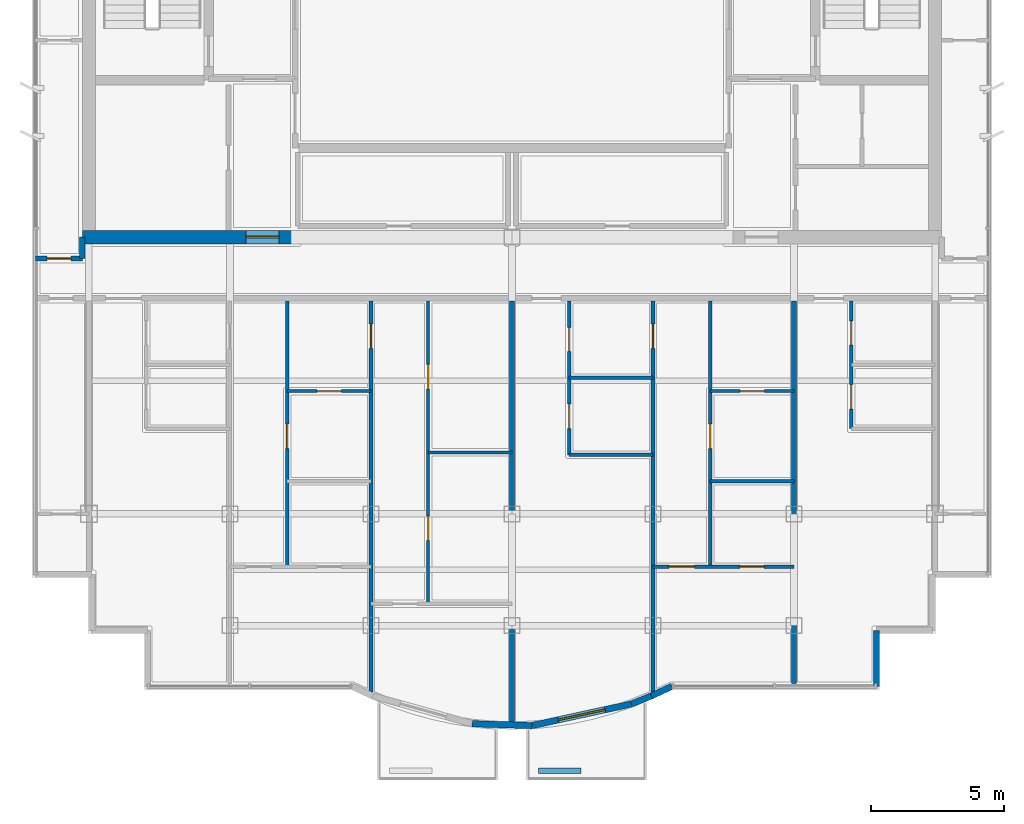
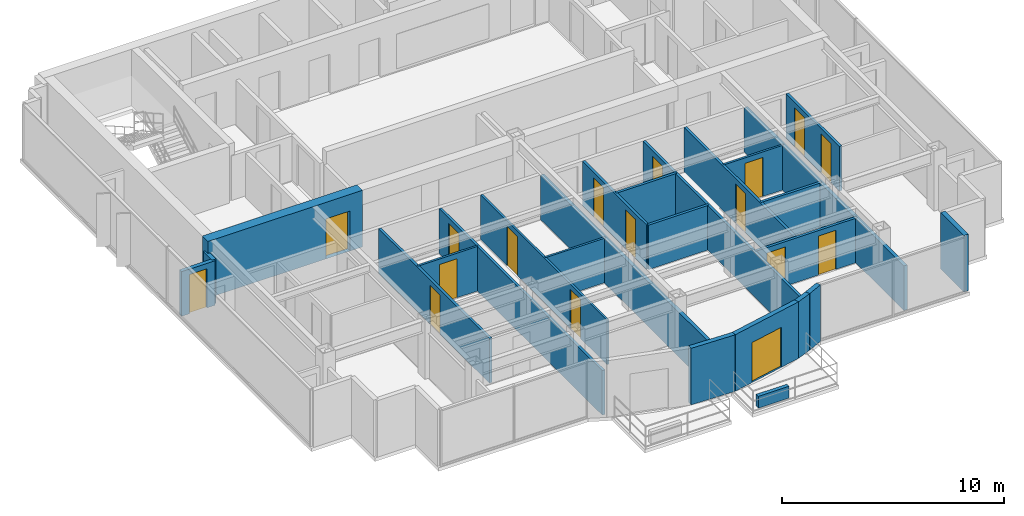
# One storey, part 6 of 11: 25 walls, 17 doors, 17 openings.
"""IFC4 building model written with IfcOpenShell, lengths in metres."""

import ifcopenshell
import ifcopenshell.guid

model = None  # the IFC model being written
_history = None  # IfcOwnerHistory: only IFC2X3 demands one
_inside = {}  # id of a spatial element -> (the spatial element, [elements in it])
_under = {}  # id of a project, library or spatial element -> (it, [spatial elements below it])
_declared = {}  # id of a project -> (the project, [libraries it declares])
_typed = {}  # id of a type object -> (the type object, [elements of that type])
_made_of = {}  # id of a material, layer set ... -> (it, [elements and type objects made of it])


def new_model(schema):
    """Start an empty IFC model of exactly this schema.

    Asked for "IFC4X3", IfcOpenShell would pick the latest addendum, in which some entities
    have other attributes; the version numbers below select the first issue.
    IFC2X3 requires an IfcOwnerHistory on every rooted entity: one is made here for all.
    """
    global model, _history
    if schema == "IFC4X3":
        model = ifcopenshell.file(schema_version=(4, 3, 0, 0))
    else:
        model = ifcopenshell.file(schema=schema)
    _inside.clear()
    _under.clear()
    _declared.clear()
    _typed.clear()
    _made_of.clear()
    _history = None
    if model.schema == "IFC2X3":
        org = make("IfcOrganization", Name="unknown")
        user = make(
            "IfcPersonAndOrganization",
            ThePerson=make("IfcPerson", FamilyName="unknown"),
            TheOrganization=org,
        )
        app = make(
            "IfcApplication",
            ApplicationDeveloper=org,
            Version="unknown",
            ApplicationFullName="unknown",
            ApplicationIdentifier="unknown",
        )
        _history = make(
            "IfcOwnerHistory",
            OwningUser=user,
            OwningApplication=app,
            ChangeAction="ADDED",
            CreationDate=0,
        )
    return model


def make(cls, **values):
    """One entity of the class cls with the attributes given. An attribute that is None is left unset."""
    return model.create_entity(
        cls, **{name: value for name, value in values.items() if value is not None}
    )


def rooted(cls, **values):
    """An entity with a GlobalId (a new one), such as an element, a storey or a relation."""
    return make(cls, GlobalId=ifcopenshell.guid.new(), OwnerHistory=_history, **values)


def si_unit(unit_type, name, prefix=None):
    """IfcSIUnit, for example si_unit("LENGTHUNIT", "METRE", prefix="MILLI")."""
    return make("IfcSIUnit", UnitType=unit_type, Prefix=prefix, Name=name)


def assignment(units):
    """IfcUnitAssignment: the units of a project."""
    return None if units is None else make("IfcUnitAssignment", Units=units)


def point(xyz):
    """IfcCartesianPoint."""
    return None if xyz is None else make("IfcCartesianPoint", Coordinates=xyz)


def direction(xyz):
    """IfcDirection."""
    return None if xyz is None else make("IfcDirection", DirectionRatios=xyz)


def frame(location, z_axis=None, x_axis=None):
    """IfcAxis2Placement3D, a coordinate frame: its origin and axes. An axis left out is left unset."""
    return make(
        "IfcAxis2Placement3D",
        Location=point(location),
        Axis=direction(z_axis),
        RefDirection=direction(x_axis),
    )


def frame_2d(location, x_axis=None):
    """IfcAxis2Placement2D, a coordinate frame in the plane: its origin and x axis."""
    return make(
        "IfcAxis2Placement2D", Location=point(location), RefDirection=direction(x_axis)
    )


def origin():
    """The frame at (0, 0, 0) with its axes left unset."""
    return frame((0.0, 0.0, 0.0))


def place(relative_to, where):
    """IfcLocalPlacement: puts the frame where relative to a parent placement (None: the world)."""
    return make(
        "IfcLocalPlacement", PlacementRelTo=relative_to, RelativePlacement=where
    )


def context(
    kind, dimensions, precision=None, world=None, true_north=None, identifier=None
):
    """IfcGeometricRepresentationContext, for example the 3D "Model" context."""
    return make(
        "IfcGeometricRepresentationContext",
        ContextIdentifier=identifier,
        ContextType=kind,
        CoordinateSpaceDimension=dimensions,
        Precision=precision,
        WorldCoordinateSystem=world,
        TrueNorth=true_north,
    )


def subcontext(parent, identifier, kind, view, scale=None):
    """IfcGeometricRepresentationSubContext, for example "Body" below "Model"."""
    return make(
        "IfcGeometricRepresentationSubContext",
        ContextIdentifier=identifier,
        ContextType=kind,
        ParentContext=parent,
        TargetScale=scale,
        TargetView=view,
    )


def project(units=None, contexts=None):
    """IfcProject with its units and contexts."""
    return rooted(
        "IfcProject",
        Name="project",
        RepresentationContexts=contexts,
        UnitsInContext=assignment(units),
    )


def spatial(cls, under=None, at=None, **own):
    """A site, building, storey or space (cls), placed at a placement, below another one or the project."""
    s = rooted(cls, ObjectPlacement=at, **own)
    if under is not None:
        _under.setdefault(under.id(), (under, []))[1].append(s)
    return s


def profile(cls, at=None, kind="AREA", **sizes):
    """A parametric profile (cls). Its sizes go by their IFC names, for example OverallWidth=200.0."""
    return make(cls, ProfileType=kind, Position=at, **sizes)


def rectangle(**sizes):
    """IfcRectangleProfileDef."""
    return profile("IfcRectangleProfileDef", **sizes)


def extrude(swept, where, along, depth):
    """IfcExtrudedAreaSolid: the profile swept, set in the frame where, extruded along a direction by depth."""
    return make(
        "IfcExtrudedAreaSolid",
        SweptArea=swept,
        Position=where,
        ExtrudedDirection=direction(along),
        Depth=depth,
    )


def shape(context_of_items, identifier, shape_type, items):
    """IfcShapeRepresentation: the items that make up one representation, for example the "Body"."""
    return make(
        "IfcShapeRepresentation",
        ContextOfItems=context_of_items,
        RepresentationIdentifier=identifier,
        RepresentationType=shape_type,
        Items=items,
    )


def material(Name=None, Category=None):
    """IfcMaterial."""
    return make("IfcMaterial", Name=Name, Category=Category)


def layer(
    of_material, thickness, ventilated=None, Name=None, Category=None, Priority=None
):
    """IfcMaterialLayer: one layer of a wall or slab, of a material (None: an air gap)."""
    return make(
        "IfcMaterialLayer",
        Material=of_material,
        LayerThickness=thickness,
        IsVentilated=ventilated,
        Name=Name,
        Category=Category,
        Priority=Priority,
    )


def layer_set(layers, Name=None):
    """IfcMaterialLayerSet."""
    return make("IfcMaterialLayerSet", MaterialLayers=layers, LayerSetName=Name)


def made_of(thing, what):
    """Note that an element or type object is made of a material, layer set ...; save() writes the relation."""
    if what is not None:
        _made_of.setdefault(what.id(), (what, []))[1].append(thing)
    return thing


def type_object(cls, material=None, **own):
    """A type object (cls), such as IfcWallType, which elements share."""
    return made_of(rooted(cls, **own), material)


def element(
    cls,
    number,
    at=None,
    inside=None,
    cuts=None,
    type_object=None,
    material=None,
    context=None,
    identifier="Body",
    shape_type=None,
    held_by="IfcProductDefinitionShape",
    body=None,
    shapes=None,
    **own,
):
    """One element of the class cls, such as IfcWall. Its Tag is "e" and its number.

    at: its placement. inside: the storey or other place that contains it. cuts: it is an
    opening in that element (IfcRelVoidsElement). A single representation is given by context,
    identifier, shape_type and body (its items); several are given by shapes. held_by: the class
    of the entity that holds the representations. save() writes the other relations.
    """
    e = rooted(cls, Tag="e%d" % number, ObjectPlacement=at, **own)
    if body is not None:
        shapes = [shape(context, identifier, shape_type, body)]
    if shapes is not None:
        e.Representation = make(held_by, Representations=shapes)
    if inside is not None:
        _inside.setdefault(inside.id(), (inside, []))[1].append(e)
    if cuts is not None:
        rooted(
            "IfcRelVoidsElement", RelatingBuildingElement=cuts, RelatedOpeningElement=e
        )
    if type_object is not None:
        _typed.setdefault(type_object.id(), (type_object, []))[1].append(e)
    return made_of(e, material)


def fill(opening, filler):
    """IfcRelFillsElement: the door or window that sits in an opening."""
    return rooted(
        "IfcRelFillsElement",
        RelatingOpeningElement=opening,
        RelatedBuildingElement=filler,
    )


def aggregate(whole, parts):
    """IfcRelAggregates: a whole, such as a stair, and the parts it consists of."""
    return rooted("IfcRelAggregates", RelatingObject=whole, RelatedObjects=parts)


def save(model, path):
    """Write the relations noted so far, then the file.

    IfcRelAggregates (storeys below a building ...), IfcRelContainedInSpatialStructure (elements
    in a storey), IfcRelDefinesByType, IfcRelAssociatesMaterial and IfcRelDeclares: one each for
    every whole, place, type object, material and project.
    """
    for whole, parts in _under.values():
        aggregate(whole, parts)
    for where, things in _inside.values():
        rooted(
            "IfcRelContainedInSpatialStructure",
            RelatedElements=things,
            RelatingStructure=where,
        )
    for kind, things in _typed.values():
        rooted("IfcRelDefinesByType", RelatedObjects=things, RelatingType=kind)
    for what, things in _made_of.values():
        rooted("IfcRelAssociatesMaterial", RelatedObjects=things, RelatingMaterial=what)
    for by, libraries in _declared.values():
        rooted("IfcRelDeclares", RelatingContext=by, RelatedDefinitions=libraries)
    model.write(path)


model = new_model("IFC4")

# Units and contexts
model_context = context("Model", 3, precision=1e-05, world=origin(), true_north=direction((0.0, 1.0)))
body_context = subcontext(model_context, "Body", "Model", "MODEL_VIEW")
ifc_project = project(units=[si_unit("LENGTHUNIT", "METRE"), si_unit("AREAUNIT", "SQUARE_METRE"), si_unit("VOLUMEUNIT", "CUBIC_METRE"), si_unit("PLANEANGLEUNIT", "RADIAN"), si_unit("MASSUNIT", "GRAM", prefix="KILO")], contexts=[model_context])

# Site, building, storey
site_placement = place(None, origin())
site = spatial("IfcSite", under=ifc_project, at=site_placement, CompositionType="ELEMENT")
building_placement = place(site_placement, origin())
building = spatial("IfcBuilding", under=site, at=building_placement, Name="Qianlan Lanfeng Residences", CompositionType="ELEMENT")
storey_placement = place(building_placement, frame((0.0, 0.0, 259.39990234375)))
storey = spatial("IfcBuildingStorey", under=building, at=storey_placement, Name="L72", CompositionType="ELEMENT", Elevation=259.39990234375)

# Wall, opening, door
ifc_material_1 = material(Name="Concrete C70", Category="concrete")
ifc_layer_1 = layer(ifc_material_1, 0.5)
ifc_layer_set_1 = layer_set([ifc_layer_1], Name="Concrete C70")
wall_type_1 = type_object("IfcWallType", Name="CW-RC-500", PredefinedType="SHEAR", material=ifc_layer_set_1)
wall_1_placement = place(storey_placement, frame((10.35009765625, 25.199951171875, 0.0), z_axis=(0.0, 0.0, 1.0), x_axis=(1.0, 0.0, 0.0)))
wall_1 = element("IfcWall", 1, at=wall_1_placement, inside=storey, type_object=wall_type_1, Name="L72 Core Shear Wall SW", PredefinedType="SHEAR", context=body_context, shape_type="SweptSolid", body=[
    extrude(rectangle(XDim=8.0498046875, YDim=0.5, at=frame_2d((4.02490234375, 0.0))), origin(), (0.0, 0.0, 1.0), 3.110107421875),
])
opening_1_placement = place(wall_1_placement, frame((6.14990234375, 0.0, 0.0)))
opening_1 = element("IfcOpeningElement", 2, at=opening_1_placement, cuts=wall_1, Name="Opening L72-D01", PredefinedType="OPENING", context=body_context, shape_type="SweptSolid", body=[
    extrude(rectangle(XDim=1.25, YDim=2.199951171875, at=frame_2d((0.625, 1.10009765625))), frame((0.0, 0.260009765625, 0.0), z_axis=(0.0, -1.0, 0.0), x_axis=(1.0, 0.0, 0.0)), (0.0, 0.0, 1.0), 0.52001953125),
])
ifc_material_2 = material(Name="Painted Galvanised Steel Fire Door", Category="steel")
door_type_1 = type_object("IfcDoorType", Name="DT-FFL", OperationType="NOTDEFINED", PredefinedType="DOOR", material=ifc_material_2)
door_1_placement = place(opening_1_placement, origin())
door_1 = element("IfcDoor", 3, at=door_1_placement, inside=storey, type_object=door_type_1, Name="L72 West Core Lobby Smoke Door L72-D01 (DT-FFL)", OperationType="SINGLE_SWING_RIGHT", OverallHeight=2.199951171875, OverallWidth=1.25, PredefinedType="DOOR", context=body_context, shape_type="SweptSolid", body=[
    extrude(rectangle(XDim=1.25, YDim=2.199951171875, at=frame_2d((0.625, 1.10009765625))), frame((0.0, 0.02490234375, 0.0), z_axis=(0.0, -1.0, 0.0), x_axis=(1.0, 0.0, 0.0)), (0.0, 0.0, 1.0), 0.050048828125),
])
fill(opening_1, door_1)

# Wall
ifc_material_3 = material(Name="Concrete C42", Category="concrete")
ifc_layer_2 = layer(ifc_material_3, 0.239990234375)
ifc_layer_set_2 = layer_set([ifc_layer_2], Name="Concrete C42")
wall_type_2 = type_object("IfcWallType", Name="EW-240", PredefinedType="SOLIDWALL", material=ifc_layer_set_2)
wall_2_placement = place(storey_placement, frame((25.0048828125, 6.9130859375, 0.0), z_axis=(0.0, 0.0, 1.0), x_axis=(0.99951250052, -0.031221167572, 0.0)))
element("IfcWall", 4, at=wall_2_placement, inside=storey, type_object=wall_type_2, Name="L72 Exterior Facade Spandrel Wall 7", PredefinedType="SOLIDWALL", context=body_context, shape_type="SweptSolid", body=[
    extrude(rectangle(XDim=2.244140625, YDim=0.239990234375, at=frame_2d((1.1220703125, 0.0))), origin(), (0.0, 0.0, 1.0), 3.110107421875),
])

# Wall, opening, door
wall_3_placement = place(storey_placement, frame((27.248046875, 6.843017578125, 0.0), z_axis=(0.0, 0.0, 1.0), x_axis=(0.977126252677, 0.212660025225, 0.0)))
wall_3 = element("IfcWall", 5, at=wall_3_placement, inside=storey, type_object=wall_type_2, Name="L72 Terrace/Balcony Access Exterior Wall 8", PredefinedType="SOLIDWALL", context=body_context, shape_type="SweptSolid", body=[
    extrude(rectangle(XDim=3.82763671875, YDim=0.239990234375, at=frame_2d((1.913818359375, 0.0))), origin(), (0.0, 0.0, 1.0), 3.110107421875),
])
opening_2_placement = place(wall_3_placement, frame((1.013916015625, 0.0, 0.0)))
opening_2 = element("IfcOpeningElement", 6, at=opening_2_placement, cuts=wall_3, Name="Opening L72-D-SB-E", PredefinedType="OPENING", context=body_context, shape_type="SweptSolid", body=[
    extrude(rectangle(XDim=1.800048828125, YDim=2.199951171875, at=frame_2d((0.89990234375, 1.10009765625))), frame((0.0, 0.1298828125, 0.0), z_axis=(0.0, -1.0, 0.0), x_axis=(1.0, 0.0, 0.0)), (0.0, 0.0, 1.0), 0.260009765625),
])
ifc_material_4 = material(Name="Anodised Bronze Aluminium Framed Glass", Category="aluminium")
door_type_2 = type_object("IfcDoorType", Name="DT-BAL1", OperationType="NOTDEFINED", PredefinedType="DOOR", material=ifc_material_4)
door_2_placement = place(opening_2_placement, frame((1.800048828125, 0.0, 0.0), z_axis=(0.0, 0.0, 1.0), x_axis=(-1.0, 0.0, 0.0)))
door_2 = element("IfcDoor", 7, at=door_2_placement, inside=storey, type_object=door_type_2, Name="L72 Exterior Access Door SB-E", OperationType="DOUBLE_DOOR_SLIDING", OverallHeight=2.199951171875, OverallWidth=1.800048828125, PredefinedType="DOOR", context=body_context, shape_type="SweptSolid", body=[
    extrude(rectangle(XDim=1.800048828125, YDim=2.199951171875, at=frame_2d((0.89990234375, 1.10009765625))), frame((0.0, 0.02490234375, 0.0), z_axis=(0.0, -1.0, 0.0), x_axis=(1.0, 0.0, 0.0)), (0.0, 0.0, 1.0), 0.050048828125),
])
fill(opening_2, door_2)

# Walls
wall_4_placement = place(storey_placement, frame((30.988037109375, 7.656982421875, 0.0), z_axis=(0.0, 0.0, 1.0), x_axis=(0.927870589467, 0.372902358805, 0.0)))
element("IfcWall", 8, at=wall_4_placement, inside=storey, type_object=wall_type_2, Name="L72 Exterior Facade Spandrel Wall 9", PredefinedType="SOLIDWALL", context=body_context, shape_type="SweptSolid", body=[
    extrude(rectangle(XDim=0.80712890625, YDim=0.239990234375, at=frame_2d((0.403564453125, 0.0))), origin(), (0.0, 0.0, 1.0), 3.110107421875),
])
wall_5_placement = place(storey_placement, frame((31.737060546875, 7.9580078125, 0.0), z_axis=(0.0, 0.0, 1.0), x_axis=(0.906190424584, 0.422869855147, 0.0)))
element("IfcWall", 9, at=wall_5_placement, inside=storey, type_object=wall_type_2, Name="L72 Exterior Facade Spandrel Wall 10", PredefinedType="SOLIDWALL", context=body_context, shape_type="SweptSolid", body=[
    extrude(rectangle(XDim=0.856201171875, YDim=0.239990234375, at=frame_2d((0.42822265625, 0.0))), origin(), (0.0, 0.0, 1.0), 3.110107421875),
])
wall_6_placement = place(storey_placement, frame((40.199951171875, 8.320068359375, 0.0), z_axis=(0.0, 0.0, 1.0), x_axis=(0.0, 1.0, 0.0)))
element("IfcWall", 10, at=wall_6_placement, inside=storey, type_object=wall_type_2, Name="L72 Exterior Facade Spandrel Wall 11", PredefinedType="SOLIDWALL", context=body_context, shape_type="SweptSolid", body=[
    extrude(rectangle(XDim=2.099853515625, YDim=0.239990234375, at=frame_2d((1.0498046875, 0.0))), origin(), (0.0, 0.0, 1.0), 3.110107421875),
])
ifc_layer_3 = layer(ifc_material_3, 0.199951171875)
ifc_layer_set_3 = layer_set([ifc_layer_3], Name="Concrete C42")
wall_type_3 = type_object("IfcWallType", Name="PL-TREE-200", PredefinedType="PARAPET", material=ifc_layer_set_3)
wall_7_placement = place(storey_placement, frame((27.5, 5.14990234375, 0.0), z_axis=(0.0, 0.0, 1.0), x_axis=(1.0, 0.0, 0.0)))
element("IfcWall", 11, at=wall_7_placement, inside=storey, type_object=wall_type_3, Name="L72 Balcony Tree Planter Curb SB-E", PredefinedType="PARAPET", context=body_context, shape_type="SweptSolid", body=[
    extrude(rectangle(XDim=1.60009765625, YDim=0.199951171875, at=frame_2d((0.800048828125, 0.0))), origin(), (0.0, 0.0, 1.0), 0.650146484375),
])

# Wall, opening, door
ifc_material_5 = material(Name="Demountable Acoustic Framing Partition 110 mm")
ifc_layer_4 = layer(ifc_material_5, 0.110107421875)
ifc_layer_set_4 = layer_set([ifc_layer_4], Name="Demountable Acoustic Framing Partition 110 mm")
wall_type_4 = type_object("IfcWallType", Name="PW-110", PredefinedType="MOVABLE", material=ifc_layer_set_4)
wall_8_placement = place(storey_placement, frame((18.050048828125, 19.409912109375, 0.0), z_axis=(0.0, 0.0, 1.0), x_axis=(1.0, 0.0, 0.0)))
wall_8 = element("IfcWall", 12, at=wall_8_placement, inside=storey, type_object=wall_type_4, Name="L72 U01 Wardrobe Split", PredefinedType="MOVABLE", context=body_context, shape_type="SweptSolid", body=[
    extrude(rectangle(XDim=3.14990234375, YDim=0.110107421875, at=frame_2d((1.574951171875, 0.0))), origin(), (0.0, 0.0, 1.0), 2.4501953125),
])
opening_3_placement = place(wall_8_placement, frame((1.114990234375, 0.0, 0.0)))
opening_3 = element("IfcOpeningElement", 13, at=opening_3_placement, cuts=wall_8, Name="Opening L72-D25", PredefinedType="OPENING", context=body_context, shape_type="SweptSolid", body=[
    extrude(rectangle(XDim=0.919921875, YDim=2.14990234375, at=frame_2d((0.4599609375, 1.074951171875))), frame((0.0, 0.06494140625, 0.0), z_axis=(0.0, -1.0, 0.0), x_axis=(1.0, 0.0, 0.0)), (0.0, 0.0, 1.0), 0.130126953125),
])
ifc_material_6 = material(Name="Glazed Timber Kitchen/Study Door", Category="wood")
door_type_3 = type_object("IfcDoorType", Name="DT-INT", OperationType="NOTDEFINED", PredefinedType="DOOR", material=ifc_material_6)
door_3_placement = place(opening_3_placement, origin())
door_3 = element("IfcDoor", 14, at=door_3_placement, inside=storey, type_object=door_type_3, Name="L72 U01 Dressing Inner Door L72-D25 (DT-INT)", OperationType="SINGLE_SWING_RIGHT", OverallHeight=2.14990234375, OverallWidth=0.919921875, PredefinedType="DOOR", context=body_context, shape_type="SweptSolid", body=[
    extrude(rectangle(XDim=0.919921875, YDim=2.14990234375, at=frame_2d((0.4599609375, 1.074951171875))), frame((0.0, 0.02490234375, 0.0), z_axis=(0.0, -1.0, 0.0), x_axis=(1.0, 0.0, 0.0)), (0.0, 0.0, 1.0), 0.050048828125),
])
fill(opening_3, door_3)

# Wall, openings, doors
wall_9_placement = place(storey_placement, frame((23.35009765625, 11.419921875, 0.0), z_axis=(0.0, 0.0, 1.0), x_axis=(0.0, 1.0, 0.0)))
wall_9 = element("IfcWall", 15, at=wall_9_placement, inside=storey, type_object=wall_type_4, Name="L72 U01 Bedroom 2 Hall Wall", PredefinedType="MOVABLE", context=body_context, shape_type="SweptSolid", body=[
    extrude(rectangle(XDim=11.380126953125, YDim=0.110107421875, at=frame_2d((5.68994140625, 0.0))), origin(), (0.0, 0.0, 1.0), 2.4501953125),
])
opening_4_placement = place(wall_9_placement, frame((2.385009765625, 0.0, 0.0)))
opening_4 = element("IfcOpeningElement", 16, at=opening_4_placement, cuts=wall_9, Name="Opening L72-D27", PredefinedType="OPENING", context=body_context, shape_type="SweptSolid", body=[
    extrude(rectangle(XDim=0.919921875, YDim=2.14990234375, at=frame_2d((0.4599609375, 1.074951171875))), frame((0.0, 0.06494140625, 0.0), z_axis=(0.0, -1.0, 0.0), x_axis=(1.0, 0.0, 0.0)), (0.0, 0.0, 1.0), 0.130126953125),
])
opening_5_placement = place(wall_9_placement, frame((8.074951171875, 0.0, 0.0)))
opening_5 = element("IfcOpeningElement", 17, at=opening_5_placement, cuts=wall_9, Name="Opening L72-D28", PredefinedType="OPENING", context=body_context, shape_type="SweptSolid", body=[
    extrude(rectangle(XDim=0.919921875, YDim=2.14990234375, at=frame_2d((0.4599609375, 1.074951171875))), frame((0.0, 0.06494140625, 0.0), z_axis=(0.0, -1.0, 0.0), x_axis=(1.0, 0.0, 0.0)), (0.0, 0.0, 1.0), 0.130126953125),
])
door_4_placement = place(opening_4_placement, origin())
door_4 = element("IfcDoor", 18, at=door_4_placement, inside=storey, type_object=door_type_3, Name="L72 U01 Utility Door L72-D27 (DT-INT)", OperationType="SINGLE_SWING_RIGHT", OverallHeight=2.14990234375, OverallWidth=0.919921875, PredefinedType="DOOR", context=body_context, shape_type="SweptSolid", body=[
    extrude(rectangle(XDim=0.919921875, YDim=2.14990234375, at=frame_2d((0.4599609375, 1.074951171875))), frame((0.0, 0.02490234375, 0.0), z_axis=(0.0, -1.0, 0.0), x_axis=(1.0, 0.0, 0.0)), (0.0, 0.0, 1.0), 0.050048828125),
])
fill(opening_4, door_4)
door_5_placement = place(opening_5_placement, origin())
door_5 = element("IfcDoor", 19, at=door_5_placement, inside=storey, type_object=door_type_3, Name="L72 U01 Specialty Door L72-D28 (DT-INT)", OperationType="SINGLE_SWING_LEFT", OverallHeight=2.14990234375, OverallWidth=0.919921875, PredefinedType="DOOR", context=body_context, shape_type="SweptSolid", body=[
    extrude(rectangle(XDim=0.919921875, YDim=2.14990234375, at=frame_2d((0.4599609375, 1.074951171875))), frame((0.0, 0.02490234375, 0.0), z_axis=(0.0, -1.0, 0.0), x_axis=(1.0, 0.0, 0.0)), (0.0, 0.0, 1.0), 0.050048828125),
])
fill(opening_5, door_5)

# Wall
wall_10_placement = place(storey_placement, frame((23.35009765625, 17.110107421875, 0.0), z_axis=(0.0, 0.0, 1.0), x_axis=(1.0, 0.0, 0.0)))
element("IfcWall", 20, at=wall_10_placement, inside=storey, type_object=wall_type_4, Name="L72 U01 Specialty Split Wall", PredefinedType="MOVABLE", context=body_context, shape_type="SweptSolid", body=[
    extrude(rectangle(XDim=3.14990234375, YDim=0.110107421875, at=frame_2d((1.574951171875, 0.0))), origin(), (0.0, 0.0, 1.0), 2.4501953125),
])

# Wall, opening, door
wall_11_placement = place(storey_placement, frame((33.949951171875, 19.409912109375, 0.0), z_axis=(0.0, 0.0, 1.0), x_axis=(1.0, 0.0, 0.0)))
wall_11 = element("IfcWall", 21, at=wall_11_placement, inside=storey, type_object=wall_type_4, Name="L72 U02 Wardrobe Split", PredefinedType="MOVABLE", context=body_context, shape_type="SweptSolid", body=[
    extrude(rectangle(XDim=3.150146484375, YDim=0.110107421875, at=frame_2d((1.5751953125, 0.0))), origin(), (0.0, 0.0, 1.0), 2.4501953125),
])
opening_6_placement = place(wall_11_placement, frame((1.114990234375, 0.0, 0.0)))
opening_6 = element("IfcOpeningElement", 22, at=opening_6_placement, cuts=wall_11, Name="Opening L72-D36", PredefinedType="OPENING", context=body_context, shape_type="SweptSolid", body=[
    extrude(rectangle(XDim=0.919921875, YDim=2.14990234375, at=frame_2d((0.4599609375, 1.074951171875))), frame((0.0, 0.06494140625, 0.0), z_axis=(0.0, -1.0, 0.0), x_axis=(1.0, 0.0, 0.0)), (0.0, 0.0, 1.0), 0.130126953125),
])
door_6_placement = place(opening_6_placement, origin())
door_6 = element("IfcDoor", 23, at=door_6_placement, inside=storey, type_object=door_type_3, Name="L72 U02 Dressing Inner Door L72-D36 (DT-INT)", OperationType="SINGLE_SWING_LEFT", OverallHeight=2.14990234375, OverallWidth=0.919921875, PredefinedType="DOOR", context=body_context, shape_type="SweptSolid", body=[
    extrude(rectangle(XDim=0.919921875, YDim=2.14990234375, at=frame_2d((0.4599609375, 1.074951171875))), frame((0.0, 0.02490234375, 0.0), z_axis=(0.0, -1.0, 0.0), x_axis=(1.0, 0.0, 0.0)), (0.0, 0.0, 1.0), 0.050048828125),
])
fill(opening_6, door_6)

ifc_material_7 = material(Name="Moisture-Resistant Gypsum Partition 135 mm")
ifc_layer_5 = layer(ifc_material_7, 0.135009765625)
ifc_layer_set_5 = layer_set([ifc_layer_5], Name="Moisture-Resistant Gypsum Partition 135 mm")
wall_type_5 = type_object("IfcWallType", Name="PW-135", PredefinedType="PARTITIONING", material=ifc_layer_set_5)
wall_12_placement = place(storey_placement, frame((21.199951171875, 8.097900390625, 0.0), z_axis=(0.0, 0.0, 1.0), x_axis=(0.0, 1.0, 0.0)))
wall_12 = element("IfcWall", 24, at=wall_12_placement, inside=storey, type_object=wall_type_5, Name="L72 U01 Bay Spine Wall 2", PredefinedType="PARTITIONING", context=body_context, shape_type="SweptSolid", body=[
    extrude(rectangle(XDim=14.7021484375, YDim=0.135009765625, at=frame_2d((7.35107421875, 0.0))), origin(), (0.0, 0.0, 1.0), 2.4501953125),
])
opening_7_placement = place(wall_12_placement, frame((12.9169921875, 0.0, 0.0)))
opening_7 = element("IfcOpeningElement", 25, at=opening_7_placement, cuts=wall_12, Name="Opening L72-D19", PredefinedType="OPENING", context=body_context, shape_type="SweptSolid", body=[
    extrude(rectangle(XDim=0.919921875, YDim=2.14990234375, at=frame_2d((0.4599609375, 1.074951171875))), frame((0.0, 0.07763671875, 0.0), z_axis=(0.0, -1.0, 0.0), x_axis=(1.0, 0.0, 0.0)), (0.0, 0.0, 1.0), 0.155029296875),
])
door_7_placement = place(opening_7_placement, origin())
door_7 = element("IfcDoor", 26, at=door_7_placement, inside=storey, type_object=door_type_3, Name="L72 U01 Internal Hall Door L72-D19 (DT-INT)", OperationType="SINGLE_SWING_RIGHT", OverallHeight=2.14990234375, OverallWidth=0.919921875, PredefinedType="DOOR", context=body_context, shape_type="SweptSolid", body=[
    extrude(rectangle(XDim=0.919921875, YDim=2.14990234375, at=frame_2d((0.4599609375, 1.074951171875))), frame((0.0, 0.02490234375, 0.0), z_axis=(0.0, -1.0, 0.0), x_axis=(1.0, 0.0, 0.0)), (0.0, 0.0, 1.0), 0.050048828125),
])
fill(opening_7, door_7)

wall_13_placement = place(storey_placement, frame((18.050048828125, 12.820068359375, 0.0), z_axis=(0.0, 0.0, 1.0), x_axis=(0.0, 1.0, 0.0)))
wall_13 = element("IfcWall", 27, at=wall_13_placement, inside=storey, type_object=wall_type_5, Name="L72 U01 Master Passage Wall", PredefinedType="PARTITIONING", context=body_context, shape_type="SweptSolid", body=[
    extrude(rectangle(XDim=9.97998046875, YDim=0.135009765625, at=frame_2d((4.989990234375, 0.0))), origin(), (0.0, 0.0, 1.0), 2.4501953125),
])
opening_8_placement = place(wall_13_placement, frame((4.43505859375, 0.0, 0.0)))
opening_8 = element("IfcOpeningElement", 28, at=opening_8_placement, cuts=wall_13, Name="Opening L72-D24", PredefinedType="OPENING", context=body_context, shape_type="SweptSolid", body=[
    extrude(rectangle(XDim=0.919921875, YDim=2.14990234375, at=frame_2d((0.4599609375, 1.074951171875))), frame((0.0, 0.07763671875, 0.0), z_axis=(0.0, -1.0, 0.0), x_axis=(1.0, 0.0, 0.0)), (0.0, 0.0, 1.0), 0.155029296875),
])
door_8_placement = place(opening_8_placement, origin())
door_8 = element("IfcDoor", 29, at=door_8_placement, inside=storey, type_object=door_type_3, Name="L72 U01 Wardrobe Door L72-D24 (DT-INT)", OperationType="SINGLE_SWING_LEFT", OverallHeight=2.14990234375, OverallWidth=0.919921875, PredefinedType="DOOR", context=body_context, shape_type="SweptSolid", body=[
    extrude(rectangle(XDim=0.919921875, YDim=2.14990234375, at=frame_2d((0.4599609375, 1.074951171875))), frame((0.0, 0.02490234375, 0.0), z_axis=(0.0, -1.0, 0.0), x_axis=(1.0, 0.0, 0.0)), (0.0, 0.0, 1.0), 0.050048828125),
])
fill(opening_8, door_8)

wall_14_placement = place(storey_placement, frame((31.800048828125, 8.097900390625, 0.0), z_axis=(0.0, 0.0, 1.0), x_axis=(0.0, 1.0, 0.0)))
wall_14 = element("IfcWall", 30, at=wall_14_placement, inside=storey, type_object=wall_type_5, Name="L72 U02 Bay Spine Wall 1", PredefinedType="PARTITIONING", context=body_context, shape_type="SweptSolid", body=[
    extrude(rectangle(XDim=14.7021484375, YDim=0.135009765625, at=frame_2d((7.35107421875, 0.0))), origin(), (0.0, 0.0, 1.0), 2.4501953125),
])
opening_9_placement = place(wall_14_placement, frame((12.9169921875, 0.0, 0.0)))
opening_9 = element("IfcOpeningElement", 31, at=opening_9_placement, cuts=wall_14, Name="Opening L72-D30", PredefinedType="OPENING", context=body_context, shape_type="SweptSolid", body=[
    extrude(rectangle(XDim=0.919921875, YDim=2.14990234375, at=frame_2d((0.4599609375, 1.074951171875))), frame((0.0, 0.07763671875, 0.0), z_axis=(0.0, -1.0, 0.0), x_axis=(1.0, 0.0, 0.0)), (0.0, 0.0, 1.0), 0.155029296875),
])
door_9_placement = place(opening_9_placement, origin())
door_9 = element("IfcDoor", 32, at=door_9_placement, inside=storey, type_object=door_type_3, Name="L72 U02 Internal Hall Door L72-D30 (DT-INT)", OperationType="SINGLE_SWING_LEFT", OverallHeight=2.14990234375, OverallWidth=0.919921875, PredefinedType="DOOR", context=body_context, shape_type="SweptSolid", body=[
    extrude(rectangle(XDim=0.919921875, YDim=2.14990234375, at=frame_2d((0.4599609375, 1.074951171875))), frame((0.0, 0.02490234375, 0.0), z_axis=(0.0, -1.0, 0.0), x_axis=(1.0, 0.0, 0.0)), (0.0, 0.0, 1.0), 0.050048828125),
])
fill(opening_9, door_9)

# Wall, openings, doors
wall_15_placement = place(storey_placement, frame((28.64990234375, 17.02001953125, 0.0), z_axis=(0.0, 0.0, 1.0), x_axis=(0.0, 1.0, 0.0)))
wall_15 = element("IfcWall", 33, at=wall_15_placement, inside=storey, type_object=wall_type_5, Name="L72 U02 Wet Stack Spine", PredefinedType="PARTITIONING", context=body_context, shape_type="SweptSolid", body=[
    extrude(rectangle(XDim=5.780029296875, YDim=0.135009765625, at=frame_2d((2.89013671875, 0.0))), origin(), (0.0, 0.0, 1.0), 2.4501953125),
])
opening_10_placement = place(wall_15_placement, frame((0.985107421875, 0.0, 0.0)))
opening_10 = element("IfcOpeningElement", 34, at=opening_10_placement, cuts=wall_15, Name="Opening L72-D31", PredefinedType="OPENING", context=body_context, shape_type="SweptSolid", body=[
    extrude(rectangle(XDim=0.919921875, YDim=2.14990234375, at=frame_2d((0.4599609375, 1.074951171875))), frame((0.0, 0.07763671875, 0.0), z_axis=(0.0, -1.0, 0.0), x_axis=(1.0, 0.0, 0.0)), (0.0, 0.0, 1.0), 0.155029296875),
])
opening_11_placement = place(wall_15_placement, frame((3.885009765625, 0.0, 0.0)))
opening_11 = element("IfcOpeningElement", 35, at=opening_11_placement, cuts=wall_15, Name="Opening L72-D32", PredefinedType="OPENING", context=body_context, shape_type="SweptSolid", body=[
    extrude(rectangle(XDim=0.89990234375, YDim=2.14990234375, at=frame_2d((0.449951171875, 1.074951171875))), frame((0.0, 0.07763671875, 0.0), z_axis=(0.0, -1.0, 0.0), x_axis=(1.0, 0.0, 0.0)), (0.0, 0.0, 1.0), 0.155029296875),
])
door_10_placement = place(opening_10_placement, origin())
door_10 = element("IfcDoor", 36, at=door_10_placement, inside=storey, type_object=door_type_3, Name="L72 U02 Kitchen Door L72-D31 (DT-INT)", OperationType="SINGLE_SWING_RIGHT", OverallHeight=2.14990234375, OverallWidth=0.919921875, PredefinedType="DOOR", context=body_context, shape_type="SweptSolid", body=[
    extrude(rectangle(XDim=0.919921875, YDim=2.14990234375, at=frame_2d((0.4599609375, 1.074951171875))), frame((0.0, 0.02490234375, 0.0), z_axis=(0.0, -1.0, 0.0), x_axis=(1.0, 0.0, 0.0)), (0.0, 0.0, 1.0), 0.050048828125),
])
fill(opening_10, door_10)
ifc_material_8 = material(Name="Moisture-Resistant Timber Leaf", Category="wood")
door_type_4 = type_object("IfcDoorType", Name="DT-WC", OperationType="NOTDEFINED", PredefinedType="DOOR", material=ifc_material_8)
door_11_placement = place(opening_11_placement, origin())
door_11 = element("IfcDoor", 37, at=door_11_placement, inside=storey, type_object=door_type_4, Name="L72 U02 Bathroom Door L72-D32 (DT-WC)", OperationType="SINGLE_SWING_LEFT", OverallHeight=2.14990234375, OverallWidth=0.89990234375, PredefinedType="DOOR", context=body_context, shape_type="SweptSolid", body=[
    extrude(rectangle(XDim=0.89990234375, YDim=2.14990234375, at=frame_2d((0.449951171875, 1.074951171875))), frame((0.0, 0.02490234375, 0.0), z_axis=(0.0, -1.0, 0.0), x_axis=(1.0, 0.0, 0.0)), (0.0, 0.0, 1.0), 0.050048828125),
])
fill(opening_11, door_11)

# Walls
for number, where, z_axis, x_axis, name in (
    (38, (28.64990234375, 17.02001953125, 0.0), (0.0, 0.0, 1.0), (1.0, 0.0, 0.0), "L72 U02 Kitchen South Wall"),
    (39, (28.64990234375, 19.909912109375, 0.0), (0.0, 0.0, 1.0), (1.0, 0.0, 0.0), "L72 U02 Bathroom South Wall"),
):
    element("IfcWall", number, at=place(storey_placement, frame(where, z_axis=z_axis, x_axis=x_axis)), inside=storey, type_object=wall_type_5, Name=name, PredefinedType="PARTITIONING", context=body_context, shape_type="SweptSolid", body=[
        extrude(rectangle(XDim=3.150146484375, YDim=0.135009765625, at=frame_2d((1.5751953125, 0.0))), origin(), (0.0, 0.0, 1.0), 2.4501953125),
    ])

# Wall, openings, doors
wall_16_placement = place(storey_placement, frame((31.800048828125, 12.820068359375, 0.0), z_axis=(0.0, 0.0, 1.0), x_axis=(1.0, 0.0, 0.0)))
wall_16 = element("IfcWall", 40, at=wall_16_placement, inside=storey, type_object=wall_type_5, Name="L72 U02 Master Bedroom North Wall", PredefinedType="PARTITIONING", context=body_context, shape_type="SweptSolid", body=[
    extrude(rectangle(XDim=5.300048828125, YDim=0.135009765625, at=frame_2d((2.64990234375, 0.0))), origin(), (0.0, 0.0, 1.0), 2.4501953125),
])
opening_12_placement = place(wall_16_placement, frame((0.60009765625, 0.0, 0.0)))
opening_12 = element("IfcOpeningElement", 41, at=opening_12_placement, cuts=wall_16, Name="Opening L72-D33", PredefinedType="OPENING", context=body_context, shape_type="SweptSolid", body=[
    extrude(rectangle(XDim=0.949951171875, YDim=2.14990234375, at=frame_2d((0.47509765625, 1.074951171875))), frame((0.0, 0.07763671875, 0.0), z_axis=(0.0, -1.0, 0.0), x_axis=(1.0, 0.0, 0.0)), (0.0, 0.0, 1.0), 0.155029296875),
])
opening_13_placement = place(wall_16_placement, frame((3.27490234375, 0.0, 0.0)))
opening_13 = element("IfcOpeningElement", 42, at=opening_13_placement, cuts=wall_16, Name="Opening L72-D34", PredefinedType="OPENING", context=body_context, shape_type="SweptSolid", body=[
    extrude(rectangle(XDim=0.89990234375, YDim=2.14990234375, at=frame_2d((0.449951171875, 1.074951171875))), frame((0.0, 0.07763671875, 0.0), z_axis=(0.0, -1.0, 0.0), x_axis=(1.0, 0.0, 0.0)), (0.0, 0.0, 1.0), 0.155029296875),
])
ifc_material_9 = material(Name="Painted Solid-Core Timber Leaf", Category="wood")
door_type_5 = type_object("IfcDoorType", Name="DT-BED", OperationType="NOTDEFINED", PredefinedType="DOOR", material=ifc_material_9)
door_12_placement = place(opening_12_placement, frame((0.949951171875, 0.0, 0.0), z_axis=(0.0, 0.0, 1.0), x_axis=(-1.0, 0.0, 0.0)))
door_12 = element("IfcDoor", 43, at=door_12_placement, inside=storey, type_object=door_type_5, Name="L72 U02 Master Bedroom Door L72-D33 (DT-BED)", OperationType="SINGLE_SWING_RIGHT", OverallHeight=2.14990234375, OverallWidth=0.949951171875, PredefinedType="DOOR", context=body_context, shape_type="SweptSolid", body=[
    extrude(rectangle(XDim=0.949951171875, YDim=2.14990234375, at=frame_2d((0.47509765625, 1.074951171875))), frame((0.0, 0.02490234375, 0.0), z_axis=(0.0, -1.0, 0.0), x_axis=(1.0, 0.0, 0.0)), (0.0, 0.0, 1.0), 0.050048828125),
])
fill(opening_12, door_12)
door_13_placement = place(opening_13_placement, origin())
door_13 = element("IfcDoor", 44, at=door_13_placement, inside=storey, type_object=door_type_4, Name="L72 U02 En-Suite Bathroom Door L72-D34 (DT-WC)", OperationType="SINGLE_SWING_LEFT", OverallHeight=2.14990234375, OverallWidth=0.89990234375, PredefinedType="DOOR", context=body_context, shape_type="SweptSolid", body=[
    extrude(rectangle(XDim=0.89990234375, YDim=2.14990234375, at=frame_2d((0.449951171875, 1.074951171875))), frame((0.0, 0.02490234375, 0.0), z_axis=(0.0, -1.0, 0.0), x_axis=(1.0, 0.0, 0.0)), (0.0, 0.0, 1.0), 0.050048828125),
])
fill(opening_13, door_13)

# Wall, opening, door
wall_17_placement = place(storey_placement, frame((33.949951171875, 12.820068359375, 0.0), z_axis=(0.0, 0.0, 1.0), x_axis=(0.0, 1.0, 0.0)))
wall_17 = element("IfcWall", 45, at=wall_17_placement, inside=storey, type_object=wall_type_5, Name="L72 U02 Master Passage Wall", PredefinedType="PARTITIONING", context=body_context, shape_type="SweptSolid", body=[
    extrude(rectangle(XDim=9.97998046875, YDim=0.135009765625, at=frame_2d((4.989990234375, 0.0))), origin(), (0.0, 0.0, 1.0), 2.4501953125),
])
opening_14_placement = place(wall_17_placement, frame((4.43505859375, 0.0, 0.0)))
opening_14 = element("IfcOpeningElement", 46, at=opening_14_placement, cuts=wall_17, Name="Opening L72-D35", PredefinedType="OPENING", context=body_context, shape_type="SweptSolid", body=[
    extrude(rectangle(XDim=0.919921875, YDim=2.14990234375, at=frame_2d((0.4599609375, 1.074951171875))), frame((0.0, 0.07763671875, 0.0), z_axis=(0.0, -1.0, 0.0), x_axis=(1.0, 0.0, 0.0)), (0.0, 0.0, 1.0), 0.155029296875),
])
door_14_placement = place(opening_14_placement, origin())
door_14 = element("IfcDoor", 47, at=door_14_placement, inside=storey, type_object=door_type_3, Name="L72 U02 Wardrobe Door L72-D35 (DT-INT)", OperationType="SINGLE_SWING_RIGHT", OverallHeight=2.14990234375, OverallWidth=0.919921875, PredefinedType="DOOR", context=body_context, shape_type="SweptSolid", body=[
    extrude(rectangle(XDim=0.919921875, YDim=2.14990234375, at=frame_2d((0.4599609375, 1.074951171875))), frame((0.0, 0.02490234375, 0.0), z_axis=(0.0, -1.0, 0.0), x_axis=(1.0, 0.0, 0.0)), (0.0, 0.0, 1.0), 0.050048828125),
])
fill(opening_14, door_14)

# Wall
wall_18_placement = place(storey_placement, frame((33.949951171875, 16.02001953125, 0.0), z_axis=(0.0, 0.0, 1.0), x_axis=(1.0, 0.0, 0.0)))
element("IfcWall", 48, at=wall_18_placement, inside=storey, type_object=wall_type_5, Name="L72 U02 En-Suite North Wall", PredefinedType="PARTITIONING", context=body_context, shape_type="SweptSolid", body=[
    extrude(rectangle(XDim=3.150146484375, YDim=0.135009765625, at=frame_2d((1.5751953125, 0.0))), origin(), (0.0, 0.0, 1.0), 2.4501953125),
])

# Wall, openings, doors
wall_19_placement = place(storey_placement, frame((39.25, 18.0, 0.0), z_axis=(0.0, 0.0, 1.0), x_axis=(0.0, 1.0, 0.0)))
wall_19 = element("IfcWall", 49, at=wall_19_placement, inside=storey, type_object=wall_type_5, Name="L72 U03 Wet Stack Spine", PredefinedType="PARTITIONING", context=body_context, shape_type="SweptSolid", body=[
    extrude(rectangle(XDim=4.800048828125, YDim=0.135009765625, at=frame_2d((2.39990234375, 0.0))), origin(), (0.0, 0.0, 1.0), 2.4501953125),
])
opening_15_placement = place(wall_19_placement, frame((0.739990234375, 0.0, 0.0)))
opening_15 = element("IfcOpeningElement", 50, at=opening_15_placement, cuts=wall_19, Name="Opening L72-D38", PredefinedType="OPENING", context=body_context, shape_type="SweptSolid", body=[
    extrude(rectangle(XDim=0.919921875, YDim=2.14990234375, at=frame_2d((0.4599609375, 1.074951171875))), frame((0.0, 0.07763671875, 0.0), z_axis=(0.0, -1.0, 0.0), x_axis=(1.0, 0.0, 0.0)), (0.0, 0.0, 1.0), 0.155029296875),
])
opening_16_placement = place(wall_19_placement, frame((3.14990234375, 0.0, 0.0)))
opening_16 = element("IfcOpeningElement", 51, at=opening_16_placement, cuts=wall_19, Name="Opening L72-D39", PredefinedType="OPENING", context=body_context, shape_type="SweptSolid", body=[
    extrude(rectangle(XDim=0.89990234375, YDim=2.14990234375, at=frame_2d((0.449951171875, 1.074951171875))), frame((0.0, 0.07763671875, 0.0), z_axis=(0.0, -1.0, 0.0), x_axis=(1.0, 0.0, 0.0)), (0.0, 0.0, 1.0), 0.155029296875),
])
door_15_placement = place(opening_15_placement, origin())
door_15 = element("IfcDoor", 52, at=door_15_placement, inside=storey, type_object=door_type_3, Name="L72 U03 Kitchen Door L72-D38 (DT-INT)", OperationType="SINGLE_SWING_RIGHT", OverallHeight=2.14990234375, OverallWidth=0.919921875, PredefinedType="DOOR", context=body_context, shape_type="SweptSolid", body=[
    extrude(rectangle(XDim=0.919921875, YDim=2.14990234375, at=frame_2d((0.4599609375, 1.074951171875))), frame((0.0, 0.02490234375, 0.0), z_axis=(0.0, -1.0, 0.0), x_axis=(1.0, 0.0, 0.0)), (0.0, 0.0, 1.0), 0.050048828125),
])
fill(opening_15, door_15)
door_16_placement = place(opening_16_placement, origin())
door_16 = element("IfcDoor", 53, at=door_16_placement, inside=storey, type_object=door_type_4, Name="L72 U03 Bathroom Door L72-D39 (DT-WC)", OperationType="SINGLE_SWING_LEFT", OverallHeight=2.14990234375, OverallWidth=0.89990234375, PredefinedType="DOOR", context=body_context, shape_type="SweptSolid", body=[
    extrude(rectangle(XDim=0.89990234375, YDim=2.14990234375, at=frame_2d((0.449951171875, 1.074951171875))), frame((0.0, 0.02490234375, 0.0), z_axis=(0.0, -1.0, 0.0), x_axis=(1.0, 0.0, 0.0)), (0.0, 0.0, 1.0), 0.050048828125),
])
fill(opening_16, door_16)

# Walls
ifc_material_10 = material(Name="Double-Layer Acoustic Gypsum Stud Wall 180 mm")
ifc_layer_6 = layer(ifc_material_10, 0.179931640625)
ifc_layer_set_6 = layer_set([ifc_layer_6], Name="Double-Layer Acoustic Gypsum Stud Wall 180 mm")
wall_type_6 = type_object("IfcWallType", Name="PW-180", PredefinedType="PARTITIONING", material=ifc_layer_set_6)
wall_20_placement = place(storey_placement, frame((26.5, 6.919921875, 0.0), z_axis=(0.0, 0.0, 1.0), x_axis=(0.0, 1.0, 0.0)))
element("IfcWall", 54, at=wall_20_placement, inside=storey, type_object=wall_type_6, Name="L72 Inter-Tenancy Party Wall 2", PredefinedType="PARTITIONING", context=body_context, shape_type="SweptSolid", body=[
    extrude(rectangle(XDim=15.880126953125, YDim=0.179931640625, at=frame_2d((7.93994140625, 0.0))), origin(), (0.0, 0.0, 1.0), 2.4501953125),
])
wall_21_placement = place(storey_placement, frame((37.10009765625, 8.419921875, 0.0), z_axis=(0.0, 0.0, 1.0), x_axis=(0.0, 1.0, 0.0)))
element("IfcWall", 55, at=wall_21_placement, inside=storey, type_object=wall_type_6, Name="L72 Inter-Tenancy Party Wall 3", PredefinedType="PARTITIONING", context=body_context, shape_type="SweptSolid", body=[
    extrude(rectangle(XDim=14.380126953125, YDim=0.179931640625, at=frame_2d((7.18994140625, 0.0))), origin(), (0.0, 0.0, 1.0), 2.4501953125),
])

# Wall, opening, door
ifc_material_11 = material(Name="Autoclaved Aerated Concrete Blockwork 200 mm", Category="masonry")
ifc_layer_7 = layer(ifc_material_11, 0.199951171875)
ifc_layer_set_7 = layer_set([ifc_layer_7], Name="Autoclaved Aerated Concrete Blockwork 200 mm")
wall_type_7 = type_object("IfcWallType", Name="PW-200", PredefinedType="PARTITIONING", material=ifc_layer_set_7)
wall_22_placement = place(storey_placement, frame((8.60009765625, 24.39990234375, 0.0), z_axis=(0.0, 0.0, 1.0), x_axis=(1.0, 0.0, 0.0)))
wall_22 = element("IfcWall", 56, at=wall_22_placement, inside=storey, type_object=wall_type_7, Name="L72 Corridor NW Wall", PredefinedType="PARTITIONING", context=body_context, shape_type="SweptSolid", body=[
    extrude(rectangle(XDim=1.75, YDim=0.199951171875, at=frame_2d((0.875, 0.0))), origin(), (0.0, 0.0, 1.0), 2.4501953125),
])
opening_17_placement = place(wall_22_placement, frame((0.425048828125, 0.0, 0.0)))
opening_17 = element("IfcOpeningElement", 57, at=opening_17_placement, cuts=wall_22, Name="Opening L72-D45", PredefinedType="OPENING", context=body_context, shape_type="SweptSolid", body=[
    extrude(rectangle(XDim=0.89990234375, YDim=2.14990234375, at=frame_2d((0.449951171875, 1.074951171875))), frame((0.0, 0.10986328125, 0.0), z_axis=(0.0, -1.0, 0.0), x_axis=(1.0, 0.0, 0.0)), (0.0, 0.0, 1.0), 0.219970703125),
])
door_17_placement = place(opening_17_placement, origin())
door_17 = element("IfcDoor", 58, at=door_17_placement, inside=storey, type_object=door_type_4, Name="L72 WW Amenity Salon Door L72-D45 (DT-WC)", OperationType="SINGLE_SWING_LEFT", OverallHeight=2.14990234375, OverallWidth=0.89990234375, PredefinedType="DOOR", context=body_context, shape_type="SweptSolid", body=[
    extrude(rectangle(XDim=0.89990234375, YDim=2.14990234375, at=frame_2d((0.449951171875, 1.074951171875))), frame((0.0, 0.02490234375, 0.0), z_axis=(0.0, -1.0, 0.0), x_axis=(1.0, 0.0, 0.0)), (0.0, 0.0, 1.0), 0.050048828125),
])
fill(opening_17, door_17)

# Wall
wall_23_placement = place(storey_placement, frame((10.35009765625, 24.39990234375, 0.0), z_axis=(0.0, 0.0, 1.0), x_axis=(0.0, 1.0, 0.0)))
element("IfcWall", 59, at=wall_23_placement, inside=storey, type_object=wall_type_7, Name="L72 NW Wing Core Return Wall", PredefinedType="PARTITIONING", context=body_context, shape_type="SweptSolid", body=[
    extrude(rectangle(XDim=0.800048828125, YDim=0.199951171875, at=frame_2d((0.39990234375, 0.0))), origin(), (0.0, 0.0, 1.0), 2.4501953125),
])

save(model, "model.ifc")
